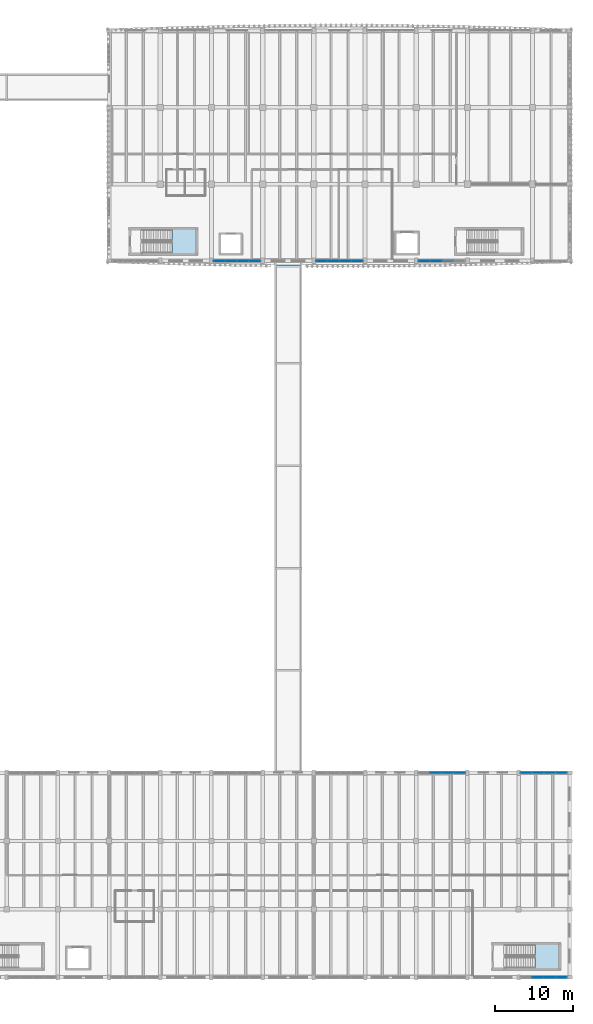
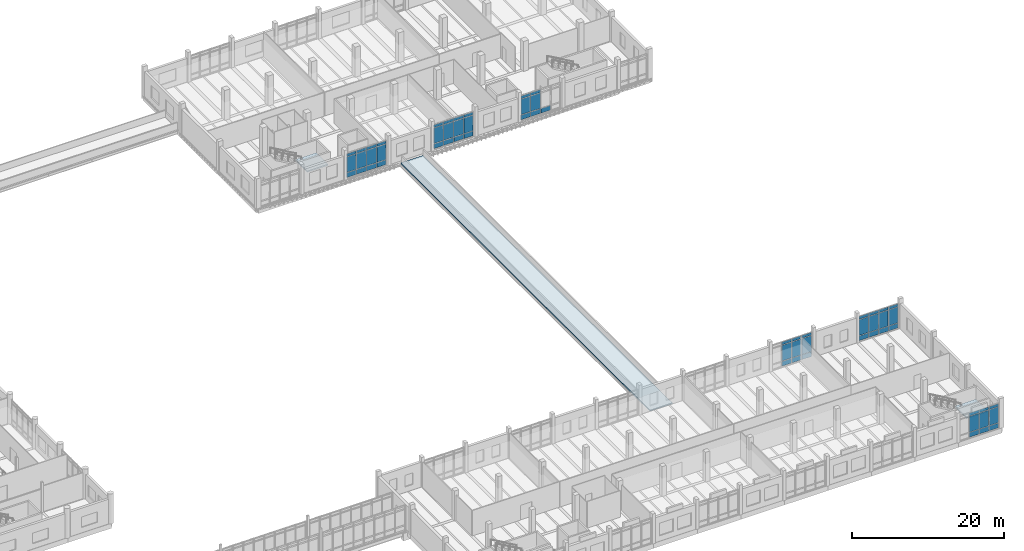
# One storey, part 56 of 101: 61 plates, 3 slabs, 8 elements without a shape of their own.
"""IFC4 building model written with IfcOpenShell, lengths in metres."""

from ifc_helpers import new_model, si_unit, direction, frame, origin, origin_2d, place, context, subcontext, project, spatial, polyline, rectangle, outline, extrude, material, layer, layer_set, type_object, element, aggregate, save


model = new_model("IFC4")

# Units and contexts
model_context = context("Model", 3, precision=1e-05, world=origin(), true_north=direction((0.0, 1.0)))
body_context = subcontext(model_context, "Body", "Model", "MODEL_VIEW")
ifc_project = project(units=[si_unit("LENGTHUNIT", "METRE"), si_unit("AREAUNIT", "SQUARE_METRE"), si_unit("VOLUMEUNIT", "CUBIC_METRE"), si_unit("PLANEANGLEUNIT", "RADIAN"), si_unit("MASSUNIT", "GRAM", prefix="KILO")], contexts=[model_context])

# Site, building, storey
site_placement = place(None, origin())
site = spatial("IfcSite", under=ifc_project, at=site_placement, CompositionType="ELEMENT")
building_placement = place(site_placement, origin())
building = spatial("IfcBuilding", under=site, at=building_placement, Name="Dornvale Research Institute", CompositionType="ELEMENT")
storey_placement = place(building_placement, frame((0.0, 0.0, 10.199951171875)))
storey = spatial("IfcBuildingStorey", under=building, at=storey_placement, Name="L02", CompositionType="ELEMENT", Elevation=10.199951171875)

# Curtain wall, plates
ifc_material_1 = material(Name="Low-E Argon Double Insulating Glazing Unit", Category="glass")
curtain_wall_type_1 = type_object("IfcCurtainWallType", Name="UnitisedCurtainWall_V3_6150x4000", PredefinedType="USERDEFINED", material=ifc_material_1)
curtain_wall_1_placement = place(storey_placement, origin())
curtain_wall_1 = element("IfcCurtainWall", 1, at=curtain_wall_1_placement, inside=storey, type_object=curtain_wall_type_1, Name="L02 V3 unitised curtain wall CW-06 #46", ObjectType="UNITISED CURTAIN WALL", PredefinedType="USERDEFINED")
ifc_material_2 = material(Name="Insulated Ceramic-Frit Spandrel Glass Panel", Category="glass")
ifc_layer_1 = layer(ifc_material_2, 0.0419921875)
ifc_layer_set_1 = layer_set([ifc_layer_1], Name="Insulated Ceramic-Frit Spandrel Glass Panel")
plate_type_1 = type_object("IfcPlateType", Name="CurtainPanel_Spandrel_42", PredefinedType="CURTAIN_PANEL", material=ifc_layer_set_1)
plate_1_placement = place(storey_placement, frame((160.93115234375, 26.39990234375, 0.065185546875), z_axis=(0.0, 0.0, 1.0), x_axis=(1.0, 0.0, 0.0)))
plate_1 = element("IfcPlate", 2, at=plate_1_placement, type_object=plate_type_1, Name="CW-06 panel 2.1", PredefinedType="CURTAIN_PANEL", context=body_context, shape_type="SweptSolid", body=[
    extrude(rectangle(XDim=1.472412109375, YDim=0.0419921875, at=origin_2d()), origin(), (0.0, 0.0, 1.0), 0.75244140625),
])
plate_2_placement = place(storey_placement, frame((162.46875, 26.39990234375, 0.065185546875), z_axis=(0.0, 0.0, 1.0), x_axis=(1.0, 0.0, 0.0)))
plate_2 = element("IfcPlate", 3, at=plate_2_placement, type_object=plate_type_1, Name="CW-06 panel 3.1", PredefinedType="CURTAIN_PANEL", context=body_context, shape_type="SweptSolid", body=[
    extrude(rectangle(XDim=1.472412109375, YDim=0.0419921875, at=origin_2d()), origin(), (0.0, 0.0, 1.0), 0.75244140625),
])
plate_3_placement = place(storey_placement, frame((163.989990234375, 26.39990234375, 0.065185546875), z_axis=(0.0, 0.0, 1.0), x_axis=(1.0, 0.0, 0.0)))
plate_3 = element("IfcPlate", 4, at=plate_3_placement, type_object=plate_type_1, Name="CW-06 panel 4.1", PredefinedType="CURTAIN_PANEL", context=body_context, shape_type="SweptSolid", body=[
    extrude(rectangle(XDim=1.43994140625, YDim=0.0419921875, at=origin_2d()), origin(), (0.0, 0.0, 1.0), 0.75244140625),
])

ifc_material_3 = material(Name="Low-E Argon Double Insulating Glazing Unit", Category="glass")
curtain_wall_type_2 = type_object("IfcCurtainWallType", Name="UnitisedCurtainWall_V3_6050x4000", PredefinedType="USERDEFINED", material=ifc_material_3)
curtain_wall_2_placement = place(storey_placement, origin())
curtain_wall_2 = element("IfcCurtainWall", 5, at=curtain_wall_2_placement, inside=storey, type_object=curtain_wall_type_2, Name="L02 V3 unitised curtain wall CW-07 #47", ObjectType="UNITISED CURTAIN WALL", PredefinedType="USERDEFINED")
plate_4_placement = place(storey_placement, frame((172.597412109375, 26.39990234375, 0.065185546875), z_axis=(0.0, 0.0, 1.0), x_axis=(1.0, 0.0, 0.0)))
plate_4 = element("IfcPlate", 6, at=plate_4_placement, type_object=plate_type_1, Name="CW-07 panel 1.1", PredefinedType="CURTAIN_PANEL", context=body_context, shape_type="SweptSolid", body=[
    extrude(rectangle(XDim=1.4150390625, YDim=0.0419921875, at=origin_2d()), origin(), (0.0, 0.0, 1.0), 0.75244140625),
])
plate_5_placement = place(storey_placement, frame((174.09375, 26.39990234375, 0.065185546875), z_axis=(0.0, 0.0, 1.0), x_axis=(1.0, 0.0, 0.0)))
plate_5 = element("IfcPlate", 7, at=plate_5_placement, type_object=plate_type_1, Name="CW-07 panel 2.1", PredefinedType="CURTAIN_PANEL", context=body_context, shape_type="SweptSolid", body=[
    extrude(rectangle(XDim=1.447509765625, YDim=0.0419921875, at=origin_2d()), origin(), (0.0, 0.0, 1.0), 0.75244140625),
])
plate_6_placement = place(storey_placement, frame((175.606201171875, 26.39990234375, 0.065185546875), z_axis=(0.0, 0.0, 1.0), x_axis=(1.0, 0.0, 0.0)))
plate_6 = element("IfcPlate", 8, at=plate_6_placement, type_object=plate_type_1, Name="CW-07 panel 3.1", PredefinedType="CURTAIN_PANEL", context=body_context, shape_type="SweptSolid", body=[
    extrude(rectangle(XDim=1.447509765625, YDim=0.0419921875, at=origin_2d()), origin(), (0.0, 0.0, 1.0), 0.75244140625),
])
plate_7_placement = place(storey_placement, frame((177.1025390625, 26.39990234375, 0.065185546875), z_axis=(0.0, 0.0, 1.0), x_axis=(1.0, 0.0, 0.0)))
plate_7 = element("IfcPlate", 9, at=plate_7_placement, type_object=plate_type_1, Name="CW-07 panel 4.1", PredefinedType="CURTAIN_PANEL", context=body_context, shape_type="SweptSolid", body=[
    extrude(rectangle(XDim=1.4150390625, YDim=0.0419921875, at=origin_2d()), origin(), (0.0, 0.0, 1.0), 0.75244140625),
])

curtain_wall_3_placement = place(storey_placement, origin())
curtain_wall_3 = element("IfcCurtainWall", 10, at=curtain_wall_3_placement, inside=storey, type_object=curtain_wall_type_2, Name="L02 V3 unitised curtain wall CW-07 #48", ObjectType="UNITISED CURTAIN WALL", PredefinedType="USERDEFINED")
plate_8_placement = place(storey_placement, frame((177.1025390625, 0.0, 0.065185546875), z_axis=(0.0, 0.0, 1.0), x_axis=(-1.0, 0.0, 0.0)))
plate_8 = element("IfcPlate", 11, at=plate_8_placement, type_object=plate_type_1, Name="CW-07 panel 1.1", PredefinedType="CURTAIN_PANEL", context=body_context, shape_type="SweptSolid", body=[
    extrude(rectangle(XDim=1.4150390625, YDim=0.0419921875, at=origin_2d()), origin(), (0.0, 0.0, 1.0), 0.75244140625),
])
plate_9_placement = place(storey_placement, frame((175.606201171875, 0.0, 0.065185546875), z_axis=(0.0, 0.0, 1.0), x_axis=(-1.0, 0.0, 0.0)))
plate_9 = element("IfcPlate", 12, at=plate_9_placement, type_object=plate_type_1, Name="CW-07 panel 2.1", PredefinedType="CURTAIN_PANEL", context=body_context, shape_type="SweptSolid", body=[
    extrude(rectangle(XDim=1.447509765625, YDim=0.0419921875, at=origin_2d()), origin(), (0.0, 0.0, 1.0), 0.75244140625),
])
plate_10_placement = place(storey_placement, frame((174.09375, 0.0, 0.065185546875), z_axis=(0.0, 0.0, 1.0), x_axis=(-1.0, 0.0, 0.0)))
plate_10 = element("IfcPlate", 13, at=plate_10_placement, type_object=plate_type_1, Name="CW-07 panel 3.1", PredefinedType="CURTAIN_PANEL", context=body_context, shape_type="SweptSolid", body=[
    extrude(rectangle(XDim=1.447509765625, YDim=0.0419921875, at=origin_2d()), origin(), (0.0, 0.0, 1.0), 0.75244140625),
])

ifc_material_4 = material(Name="Low-E Argon Double Insulating Glazing Unit", Category="glass")
curtain_wall_type_3 = type_object("IfcCurtainWallType", Name="UnitisedCurtainWall_V4_6100x3950", PredefinedType="USERDEFINED", material=ifc_material_4)
curtain_wall_4_placement = place(storey_placement, origin())
curtain_wall_4 = element("IfcCurtainWall", 14, at=curtain_wall_4_placement, inside=storey, type_object=curtain_wall_type_3, Name="L02 V4 unitised curtain wall CW-11 #87", ObjectType="UNITISED CURTAIN WALL", PredefinedType="USERDEFINED")
plate_11_placement = place(storey_placement, frame((162.46240234375, 92.39990234375, 0.065185546875), z_axis=(0.0, 0.0, 1.0), x_axis=(-1.0, 0.0, 0.0)))
plate_11 = element("IfcPlate", 15, at=plate_11_placement, type_object=plate_type_1, Name="CW-11 panel 2.1", PredefinedType="CURTAIN_PANEL", context=body_context, shape_type="SweptSolid", body=[
    extrude(rectangle(XDim=1.4599609375, YDim=0.0419921875, at=origin_2d()), origin(), (0.0, 0.0, 1.0), 0.75244140625),
])
plate_12_placement = place(storey_placement, frame((160.9375, 92.39990234375, 0.065185546875), z_axis=(0.0, 0.0, 1.0), x_axis=(-1.0, 0.0, 0.0)))
plate_12 = element("IfcPlate", 16, at=plate_12_placement, type_object=plate_type_1, Name="CW-11 panel 3.1", PredefinedType="CURTAIN_PANEL", context=body_context, shape_type="SweptSolid", body=[
    extrude(rectangle(XDim=1.4599609375, YDim=0.0419921875, at=origin_2d()), origin(), (0.0, 0.0, 1.0), 0.75244140625),
])
plate_13_placement = place(storey_placement, frame((159.4287109375, 92.39990234375, 0.065185546875), z_axis=(0.0, 0.0, 1.0), x_axis=(-1.0, 0.0, 0.0)))
plate_13 = element("IfcPlate", 17, at=plate_13_placement, type_object=plate_type_1, Name="CW-11 panel 4.1", PredefinedType="CURTAIN_PANEL", context=body_context, shape_type="SweptSolid", body=[
    extrude(rectangle(XDim=1.427490234375, YDim=0.0419921875, at=origin_2d()), origin(), (0.0, 0.0, 1.0), 0.75244140625),
])

curtain_wall_5_placement = place(storey_placement, origin())
curtain_wall_5 = element("IfcCurtainWall", 18, at=curtain_wall_5_placement, inside=storey, type_object=curtain_wall_type_3, Name="L02 V4 unitised curtain wall CW-11 #88", ObjectType="UNITISED CURTAIN WALL", PredefinedType="USERDEFINED")
plate_14_placement = place(storey_placement, frame((150.771240234375, 92.39990234375, 0.065185546875), z_axis=(0.0, 0.0, 1.0), x_axis=(-1.0, 0.0, 0.0)))
plate_14 = element("IfcPlate", 19, at=plate_14_placement, type_object=plate_type_1, Name="CW-11 panel 1.1", PredefinedType="CURTAIN_PANEL", context=body_context, shape_type="SweptSolid", body=[
    extrude(rectangle(XDim=1.427490234375, YDim=0.0419921875, at=origin_2d()), origin(), (0.0, 0.0, 1.0), 0.75244140625),
])
plate_15_placement = place(storey_placement, frame((149.262451171875, 92.39990234375, 0.065185546875), z_axis=(0.0, 0.0, 1.0), x_axis=(-1.0, 0.0, 0.0)))
plate_15 = element("IfcPlate", 20, at=plate_15_placement, type_object=plate_type_1, Name="CW-11 panel 2.1", PredefinedType="CURTAIN_PANEL", context=body_context, shape_type="SweptSolid", body=[
    extrude(rectangle(XDim=1.4599609375, YDim=0.0419921875, at=origin_2d()), origin(), (0.0, 0.0, 1.0), 0.75244140625),
])
plate_16_placement = place(storey_placement, frame((147.737548828125, 92.39990234375, 0.065185546875), z_axis=(0.0, 0.0, 1.0), x_axis=(-1.0, 0.0, 0.0)))
plate_16 = element("IfcPlate", 21, at=plate_16_placement, type_object=plate_type_1, Name="CW-11 panel 3.1", PredefinedType="CURTAIN_PANEL", context=body_context, shape_type="SweptSolid", body=[
    extrude(rectangle(XDim=1.4599609375, YDim=0.0419921875, at=origin_2d()), origin(), (0.0, 0.0, 1.0), 0.75244140625),
])
plate_17_placement = place(storey_placement, frame((146.228759765625, 92.39990234375, 0.065185546875), z_axis=(0.0, 0.0, 1.0), x_axis=(-1.0, 0.0, 0.0)))
plate_17 = element("IfcPlate", 22, at=plate_17_placement, type_object=plate_type_1, Name="CW-11 panel 4.1", PredefinedType="CURTAIN_PANEL", context=body_context, shape_type="SweptSolid", body=[
    extrude(rectangle(XDim=1.427490234375, YDim=0.0419921875, at=origin_2d()), origin(), (0.0, 0.0, 1.0), 0.75244140625),
])

curtain_wall_6_placement = place(storey_placement, origin())
curtain_wall_6 = element("IfcCurtainWall", 23, at=curtain_wall_6_placement, inside=storey, type_object=curtain_wall_type_3, Name="L02 V4 unitised curtain wall CW-11 #89", ObjectType="UNITISED CURTAIN WALL", PredefinedType="USERDEFINED")
plate_18_placement = place(storey_placement, frame((137.5712890625, 92.39990234375, 0.065185546875), z_axis=(0.0, 0.0, 1.0), x_axis=(-1.0, 0.0, 0.0)))
plate_18 = element("IfcPlate", 24, at=plate_18_placement, type_object=plate_type_1, Name="CW-11 panel 1.1", PredefinedType="CURTAIN_PANEL", context=body_context, shape_type="SweptSolid", body=[
    extrude(rectangle(XDim=1.427490234375, YDim=0.0419921875, at=origin_2d()), origin(), (0.0, 0.0, 1.0), 0.75244140625),
])
plate_19_placement = place(storey_placement, frame((136.0625, 92.39990234375, 0.065185546875), z_axis=(0.0, 0.0, 1.0), x_axis=(-1.0, 0.0, 0.0)))
plate_19 = element("IfcPlate", 25, at=plate_19_placement, type_object=plate_type_1, Name="CW-11 panel 2.1", PredefinedType="CURTAIN_PANEL", context=body_context, shape_type="SweptSolid", body=[
    extrude(rectangle(XDim=1.4599609375, YDim=0.0419921875, at=origin_2d()), origin(), (0.0, 0.0, 1.0), 0.75244140625),
])
plate_20_placement = place(storey_placement, frame((134.53759765625, 92.39990234375, 0.065185546875), z_axis=(0.0, 0.0, 1.0), x_axis=(-1.0, 0.0, 0.0)))
plate_20 = element("IfcPlate", 26, at=plate_20_placement, type_object=plate_type_1, Name="CW-11 panel 3.1", PredefinedType="CURTAIN_PANEL", context=body_context, shape_type="SweptSolid", body=[
    extrude(rectangle(XDim=1.4599609375, YDim=0.0419921875, at=origin_2d()), origin(), (0.0, 0.0, 1.0), 0.75244140625),
])
plate_21_placement = place(storey_placement, frame((133.02880859375, 92.39990234375, 0.065185546875), z_axis=(0.0, 0.0, 1.0), x_axis=(-1.0, 0.0, 0.0)))
plate_21 = element("IfcPlate", 27, at=plate_21_placement, type_object=plate_type_1, Name="CW-11 panel 4.1", PredefinedType="CURTAIN_PANEL", context=body_context, shape_type="SweptSolid", body=[
    extrude(rectangle(XDim=1.427490234375, YDim=0.0419921875, at=origin_2d()), origin(), (0.0, 0.0, 1.0), 0.75244140625),
])

# Plate
ifc_material_5 = material(Name="Low-E Argon Double Insulating Glazing Unit", Category="glass")
ifc_layer_2 = layer(ifc_material_5, 0.028076171875)
ifc_layer_set_2 = layer_set([ifc_layer_2], Name="Low-E Argon Double Insulating Glazing Unit")
plate_type_2 = type_object("IfcPlateType", Name="CurtainPanel_Vision_28", PredefinedType="CURTAIN_PANEL", material=ifc_layer_set_2)
plate_22_placement = place(storey_placement, frame((160.93115234375, 26.39990234375, 0.8828125), z_axis=(0.0, 0.0, 1.0), x_axis=(1.0, 0.0, 0.0)))
plate_22 = element("IfcPlate", 28, at=plate_22_placement, type_object=plate_type_2, Name="CW-06 panel 2.2", PredefinedType="CURTAIN_PANEL", context=body_context, shape_type="SweptSolid", body=[
    extrude(rectangle(XDim=1.472412109375, YDim=0.028076171875, at=origin_2d()), origin(), (0.0, 0.0, 1.0), 2.534912109375),
])

plate_23_placement = place(storey_placement, frame((160.93115234375, 26.39990234375, 3.482421875), z_axis=(0.0, 0.0, 1.0), x_axis=(1.0, 0.0, 0.0)))
plate_23 = element("IfcPlate", 29, at=plate_23_placement, type_object=plate_type_2, Name="CW-06 panel 2.3", PredefinedType="CURTAIN_PANEL", context=body_context, shape_type="SweptSolid", body=[
    extrude(rectangle(XDim=1.472412109375, YDim=0.028076171875, at=origin_2d()), origin(), (0.0, 0.0, 1.0), 0.452392578125),
])

plate_24_placement = place(storey_placement, frame((162.46875, 26.39990234375, 0.8828125), z_axis=(0.0, 0.0, 1.0), x_axis=(1.0, 0.0, 0.0)))
plate_24 = element("IfcPlate", 30, at=plate_24_placement, type_object=plate_type_2, Name="CW-06 panel 3.2", PredefinedType="CURTAIN_PANEL", context=body_context, shape_type="SweptSolid", body=[
    extrude(rectangle(XDim=1.472412109375, YDim=0.028076171875, at=origin_2d()), origin(), (0.0, 0.0, 1.0), 2.534912109375),
])

plate_25_placement = place(storey_placement, frame((162.46875, 26.39990234375, 3.482421875), z_axis=(0.0, 0.0, 1.0), x_axis=(1.0, 0.0, 0.0)))
plate_25 = element("IfcPlate", 31, at=plate_25_placement, type_object=plate_type_2, Name="CW-06 panel 3.3", PredefinedType="CURTAIN_PANEL", context=body_context, shape_type="SweptSolid", body=[
    extrude(rectangle(XDim=1.472412109375, YDim=0.028076171875, at=origin_2d()), origin(), (0.0, 0.0, 1.0), 0.452392578125),
])

plate_26_placement = place(storey_placement, frame((163.989990234375, 26.39990234375, 0.8828125), z_axis=(0.0, 0.0, 1.0), x_axis=(1.0, 0.0, 0.0)))
plate_26 = element("IfcPlate", 32, at=plate_26_placement, type_object=plate_type_2, Name="CW-06 panel 4.2", PredefinedType="CURTAIN_PANEL", context=body_context, shape_type="SweptSolid", body=[
    extrude(rectangle(XDim=1.43994140625, YDim=0.028076171875, at=origin_2d()), origin(), (0.0, 0.0, 1.0), 2.534912109375),
])

plate_27_placement = place(storey_placement, frame((163.989990234375, 26.39990234375, 3.482421875), z_axis=(0.0, 0.0, 1.0), x_axis=(1.0, 0.0, 0.0)))
plate_27 = element("IfcPlate", 33, at=plate_27_placement, type_object=plate_type_2, Name="CW-06 panel 4.3", PredefinedType="CURTAIN_PANEL", context=body_context, shape_type="SweptSolid", body=[
    extrude(rectangle(XDim=1.43994140625, YDim=0.028076171875, at=origin_2d()), origin(), (0.0, 0.0, 1.0), 0.452392578125),
])

aggregate(curtain_wall_1, [plate_1, plate_22, plate_23, plate_2, plate_24, plate_25, plate_3, plate_26, plate_27])

plate_28_placement = place(storey_placement, frame((172.597412109375, 26.39990234375, 0.8828125), z_axis=(0.0, 0.0, 1.0), x_axis=(1.0, 0.0, 0.0)))
plate_28 = element("IfcPlate", 34, at=plate_28_placement, type_object=plate_type_2, Name="CW-07 panel 1.2", PredefinedType="CURTAIN_PANEL", context=body_context, shape_type="SweptSolid", body=[
    extrude(rectangle(XDim=1.4150390625, YDim=0.028076171875, at=origin_2d()), origin(), (0.0, 0.0, 1.0), 2.534912109375),
])

plate_29_placement = place(storey_placement, frame((172.597412109375, 26.39990234375, 3.482421875), z_axis=(0.0, 0.0, 1.0), x_axis=(1.0, 0.0, 0.0)))
plate_29 = element("IfcPlate", 35, at=plate_29_placement, type_object=plate_type_2, Name="CW-07 panel 1.3", PredefinedType="CURTAIN_PANEL", context=body_context, shape_type="SweptSolid", body=[
    extrude(rectangle(XDim=1.4150390625, YDim=0.028076171875, at=origin_2d()), origin(), (0.0, 0.0, 1.0), 0.452392578125),
])

plate_30_placement = place(storey_placement, frame((174.09375, 26.39990234375, 0.8828125), z_axis=(0.0, 0.0, 1.0), x_axis=(1.0, 0.0, 0.0)))
plate_30 = element("IfcPlate", 36, at=plate_30_placement, type_object=plate_type_2, Name="CW-07 panel 2.2", PredefinedType="CURTAIN_PANEL", context=body_context, shape_type="SweptSolid", body=[
    extrude(rectangle(XDim=1.447509765625, YDim=0.028076171875, at=origin_2d()), origin(), (0.0, 0.0, 1.0), 2.534912109375),
])

plate_31_placement = place(storey_placement, frame((174.09375, 26.39990234375, 3.482421875), z_axis=(0.0, 0.0, 1.0), x_axis=(1.0, 0.0, 0.0)))
plate_31 = element("IfcPlate", 37, at=plate_31_placement, type_object=plate_type_2, Name="CW-07 panel 2.3", PredefinedType="CURTAIN_PANEL", context=body_context, shape_type="SweptSolid", body=[
    extrude(rectangle(XDim=1.447509765625, YDim=0.028076171875, at=origin_2d()), origin(), (0.0, 0.0, 1.0), 0.452392578125),
])

plate_32_placement = place(storey_placement, frame((175.606201171875, 26.39990234375, 0.8828125), z_axis=(0.0, 0.0, 1.0), x_axis=(1.0, 0.0, 0.0)))
plate_32 = element("IfcPlate", 38, at=plate_32_placement, type_object=plate_type_2, Name="CW-07 panel 3.2", PredefinedType="CURTAIN_PANEL", context=body_context, shape_type="SweptSolid", body=[
    extrude(rectangle(XDim=1.447509765625, YDim=0.028076171875, at=origin_2d()), origin(), (0.0, 0.0, 1.0), 2.534912109375),
])

plate_33_placement = place(storey_placement, frame((175.606201171875, 26.39990234375, 3.482421875), z_axis=(0.0, 0.0, 1.0), x_axis=(1.0, 0.0, 0.0)))
plate_33 = element("IfcPlate", 39, at=plate_33_placement, type_object=plate_type_2, Name="CW-07 panel 3.3", PredefinedType="CURTAIN_PANEL", context=body_context, shape_type="SweptSolid", body=[
    extrude(rectangle(XDim=1.447509765625, YDim=0.028076171875, at=origin_2d()), origin(), (0.0, 0.0, 1.0), 0.452392578125),
])

plate_34_placement = place(storey_placement, frame((177.1025390625, 26.39990234375, 0.8828125), z_axis=(0.0, 0.0, 1.0), x_axis=(1.0, 0.0, 0.0)))
plate_34 = element("IfcPlate", 40, at=plate_34_placement, type_object=plate_type_2, Name="CW-07 panel 4.2", PredefinedType="CURTAIN_PANEL", context=body_context, shape_type="SweptSolid", body=[
    extrude(rectangle(XDim=1.4150390625, YDim=0.028076171875, at=origin_2d()), origin(), (0.0, 0.0, 1.0), 2.534912109375),
])

plate_35_placement = place(storey_placement, frame((177.1025390625, 26.39990234375, 3.482421875), z_axis=(0.0, 0.0, 1.0), x_axis=(1.0, 0.0, 0.0)))
plate_35 = element("IfcPlate", 41, at=plate_35_placement, type_object=plate_type_2, Name="CW-07 panel 4.3", PredefinedType="CURTAIN_PANEL", context=body_context, shape_type="SweptSolid", body=[
    extrude(rectangle(XDim=1.4150390625, YDim=0.028076171875, at=origin_2d()), origin(), (0.0, 0.0, 1.0), 0.452392578125),
])

aggregate(curtain_wall_2, [plate_4, plate_28, plate_29, plate_5, plate_30, plate_31, plate_6, plate_32, plate_33, plate_7, plate_34, plate_35])

plate_36_placement = place(storey_placement, frame((177.1025390625, 0.0, 0.8828125), z_axis=(0.0, 0.0, 1.0), x_axis=(-1.0, 0.0, 0.0)))
plate_36 = element("IfcPlate", 42, at=plate_36_placement, type_object=plate_type_2, Name="CW-07 panel 1.2", PredefinedType="CURTAIN_PANEL", context=body_context, shape_type="SweptSolid", body=[
    extrude(rectangle(XDim=1.4150390625, YDim=0.028076171875, at=origin_2d()), origin(), (0.0, 0.0, 1.0), 2.534912109375),
])

plate_37_placement = place(storey_placement, frame((177.1025390625, 0.0, 3.482421875), z_axis=(0.0, 0.0, 1.0), x_axis=(-1.0, 0.0, 0.0)))
plate_37 = element("IfcPlate", 43, at=plate_37_placement, type_object=plate_type_2, Name="CW-07 panel 1.3", PredefinedType="CURTAIN_PANEL", context=body_context, shape_type="SweptSolid", body=[
    extrude(rectangle(XDim=1.4150390625, YDim=0.028076171875, at=origin_2d()), origin(), (0.0, 0.0, 1.0), 0.452392578125),
])

plate_38_placement = place(storey_placement, frame((175.606201171875, 0.0, 0.8828125), z_axis=(0.0, 0.0, 1.0), x_axis=(-1.0, 0.0, 0.0)))
plate_38 = element("IfcPlate", 44, at=plate_38_placement, type_object=plate_type_2, Name="CW-07 panel 2.2", PredefinedType="CURTAIN_PANEL", context=body_context, shape_type="SweptSolid", body=[
    extrude(rectangle(XDim=1.447509765625, YDim=0.028076171875, at=origin_2d()), origin(), (0.0, 0.0, 1.0), 2.534912109375),
])

plate_39_placement = place(storey_placement, frame((175.606201171875, 0.0, 3.482421875), z_axis=(0.0, 0.0, 1.0), x_axis=(-1.0, 0.0, 0.0)))
plate_39 = element("IfcPlate", 45, at=plate_39_placement, type_object=plate_type_2, Name="CW-07 panel 2.3", PredefinedType="CURTAIN_PANEL", context=body_context, shape_type="SweptSolid", body=[
    extrude(rectangle(XDim=1.447509765625, YDim=0.028076171875, at=origin_2d()), origin(), (0.0, 0.0, 1.0), 0.452392578125),
])

plate_40_placement = place(storey_placement, frame((174.09375, 0.0, 0.8828125), z_axis=(0.0, 0.0, 1.0), x_axis=(-1.0, 0.0, 0.0)))
plate_40 = element("IfcPlate", 46, at=plate_40_placement, type_object=plate_type_2, Name="CW-07 panel 3.2", PredefinedType="CURTAIN_PANEL", context=body_context, shape_type="SweptSolid", body=[
    extrude(rectangle(XDim=1.447509765625, YDim=0.028076171875, at=origin_2d()), origin(), (0.0, 0.0, 1.0), 2.534912109375),
])

plate_41_placement = place(storey_placement, frame((174.09375, 0.0, 3.482421875), z_axis=(0.0, 0.0, 1.0), x_axis=(-1.0, 0.0, 0.0)))
plate_41 = element("IfcPlate", 47, at=plate_41_placement, type_object=plate_type_2, Name="CW-07 panel 3.3", PredefinedType="CURTAIN_PANEL", context=body_context, shape_type="SweptSolid", body=[
    extrude(rectangle(XDim=1.447509765625, YDim=0.028076171875, at=origin_2d()), origin(), (0.0, 0.0, 1.0), 0.452392578125),
])

aggregate(curtain_wall_3, [plate_8, plate_36, plate_37, plate_9, plate_38, plate_39, plate_10, plate_40, plate_41])

plate_42_placement = place(storey_placement, frame((160.9375, 92.39990234375, 0.88232421875), z_axis=(0.0, 0.0, 1.0), x_axis=(-1.0, 0.0, 0.0)))
plate_42 = element("IfcPlate", 48, at=plate_42_placement, type_object=plate_type_2, Name="CW-11 panel 3.2", PredefinedType="CURTAIN_PANEL", context=body_context, shape_type="SweptSolid", body=[
    extrude(rectangle(XDim=1.4599609375, YDim=0.028076171875, at=origin_2d()), origin(), (0.0, 0.0, 1.0), 2.485107421875),
])

plate_43_placement = place(storey_placement, frame((160.9375, 92.39990234375, 3.4326171875), z_axis=(0.0, 0.0, 1.0), x_axis=(-1.0, 0.0, 0.0)))
plate_43 = element("IfcPlate", 49, at=plate_43_placement, type_object=plate_type_2, Name="CW-11 panel 3.3", PredefinedType="CURTAIN_PANEL", context=body_context, shape_type="SweptSolid", body=[
    extrude(rectangle(XDim=1.4599609375, YDim=0.028076171875, at=origin_2d()), origin(), (0.0, 0.0, 1.0), 0.452392578125),
])

plate_44_placement = place(storey_placement, frame((159.4287109375, 92.39990234375, 0.88232421875), z_axis=(0.0, 0.0, 1.0), x_axis=(-1.0, 0.0, 0.0)))
plate_44 = element("IfcPlate", 50, at=plate_44_placement, type_object=plate_type_2, Name="CW-11 panel 4.2", PredefinedType="CURTAIN_PANEL", context=body_context, shape_type="SweptSolid", body=[
    extrude(rectangle(XDim=1.427490234375, YDim=0.028076171875, at=origin_2d()), origin(), (0.0, 0.0, 1.0), 2.485107421875),
])

plate_45_placement = place(storey_placement, frame((159.4287109375, 92.39990234375, 3.4326171875), z_axis=(0.0, 0.0, 1.0), x_axis=(-1.0, 0.0, 0.0)))
plate_45 = element("IfcPlate", 51, at=plate_45_placement, type_object=plate_type_2, Name="CW-11 panel 4.3", PredefinedType="CURTAIN_PANEL", context=body_context, shape_type="SweptSolid", body=[
    extrude(rectangle(XDim=1.427490234375, YDim=0.028076171875, at=origin_2d()), origin(), (0.0, 0.0, 1.0), 0.452392578125),
])

aggregate(curtain_wall_4, [plate_11, plate_12, plate_42, plate_43, plate_13, plate_44, plate_45])

plate_46_placement = place(storey_placement, frame((150.771240234375, 92.39990234375, 0.88232421875), z_axis=(0.0, 0.0, 1.0), x_axis=(-1.0, 0.0, 0.0)))
plate_46 = element("IfcPlate", 52, at=plate_46_placement, type_object=plate_type_2, Name="CW-11 panel 1.2", PredefinedType="CURTAIN_PANEL", context=body_context, shape_type="SweptSolid", body=[
    extrude(rectangle(XDim=1.427490234375, YDim=0.028076171875, at=origin_2d()), origin(), (0.0, 0.0, 1.0), 2.485107421875),
])

plate_47_placement = place(storey_placement, frame((150.771240234375, 92.39990234375, 3.4326171875), z_axis=(0.0, 0.0, 1.0), x_axis=(-1.0, 0.0, 0.0)))
plate_47 = element("IfcPlate", 53, at=plate_47_placement, type_object=plate_type_2, Name="CW-11 panel 1.3", PredefinedType="CURTAIN_PANEL", context=body_context, shape_type="SweptSolid", body=[
    extrude(rectangle(XDim=1.427490234375, YDim=0.028076171875, at=origin_2d()), origin(), (0.0, 0.0, 1.0), 0.452392578125),
])

plate_48_placement = place(storey_placement, frame((149.262451171875, 92.39990234375, 0.88232421875), z_axis=(0.0, 0.0, 1.0), x_axis=(-1.0, 0.0, 0.0)))
plate_48 = element("IfcPlate", 54, at=plate_48_placement, type_object=plate_type_2, Name="CW-11 panel 2.2", PredefinedType="CURTAIN_PANEL", context=body_context, shape_type="SweptSolid", body=[
    extrude(rectangle(XDim=1.4599609375, YDim=0.028076171875, at=origin_2d()), origin(), (0.0, 0.0, 1.0), 2.485107421875),
])

plate_49_placement = place(storey_placement, frame((149.262451171875, 92.39990234375, 3.4326171875), z_axis=(0.0, 0.0, 1.0), x_axis=(-1.0, 0.0, 0.0)))
plate_49 = element("IfcPlate", 55, at=plate_49_placement, type_object=plate_type_2, Name="CW-11 panel 2.3", PredefinedType="CURTAIN_PANEL", context=body_context, shape_type="SweptSolid", body=[
    extrude(rectangle(XDim=1.4599609375, YDim=0.028076171875, at=origin_2d()), origin(), (0.0, 0.0, 1.0), 0.452392578125),
])

plate_50_placement = place(storey_placement, frame((147.737548828125, 92.39990234375, 0.88232421875), z_axis=(0.0, 0.0, 1.0), x_axis=(-1.0, 0.0, 0.0)))
plate_50 = element("IfcPlate", 56, at=plate_50_placement, type_object=plate_type_2, Name="CW-11 panel 3.2", PredefinedType="CURTAIN_PANEL", context=body_context, shape_type="SweptSolid", body=[
    extrude(rectangle(XDim=1.4599609375, YDim=0.028076171875, at=origin_2d()), origin(), (0.0, 0.0, 1.0), 2.485107421875),
])

plate_51_placement = place(storey_placement, frame((147.737548828125, 92.39990234375, 3.4326171875), z_axis=(0.0, 0.0, 1.0), x_axis=(-1.0, 0.0, 0.0)))
plate_51 = element("IfcPlate", 57, at=plate_51_placement, type_object=plate_type_2, Name="CW-11 panel 3.3", PredefinedType="CURTAIN_PANEL", context=body_context, shape_type="SweptSolid", body=[
    extrude(rectangle(XDim=1.4599609375, YDim=0.028076171875, at=origin_2d()), origin(), (0.0, 0.0, 1.0), 0.452392578125),
])

plate_52_placement = place(storey_placement, frame((146.228759765625, 92.39990234375, 0.88232421875), z_axis=(0.0, 0.0, 1.0), x_axis=(-1.0, 0.0, 0.0)))
plate_52 = element("IfcPlate", 58, at=plate_52_placement, type_object=plate_type_2, Name="CW-11 panel 4.2", PredefinedType="CURTAIN_PANEL", context=body_context, shape_type="SweptSolid", body=[
    extrude(rectangle(XDim=1.427490234375, YDim=0.028076171875, at=origin_2d()), origin(), (0.0, 0.0, 1.0), 2.485107421875),
])

plate_53_placement = place(storey_placement, frame((146.228759765625, 92.39990234375, 3.4326171875), z_axis=(0.0, 0.0, 1.0), x_axis=(-1.0, 0.0, 0.0)))
plate_53 = element("IfcPlate", 59, at=plate_53_placement, type_object=plate_type_2, Name="CW-11 panel 4.3", PredefinedType="CURTAIN_PANEL", context=body_context, shape_type="SweptSolid", body=[
    extrude(rectangle(XDim=1.427490234375, YDim=0.028076171875, at=origin_2d()), origin(), (0.0, 0.0, 1.0), 0.452392578125),
])

aggregate(curtain_wall_5, [plate_14, plate_46, plate_47, plate_15, plate_48, plate_49, plate_16, plate_50, plate_51, plate_17, plate_52, plate_53])

plate_54_placement = place(storey_placement, frame((137.5712890625, 92.39990234375, 0.88232421875), z_axis=(0.0, 0.0, 1.0), x_axis=(-1.0, 0.0, 0.0)))
plate_54 = element("IfcPlate", 60, at=plate_54_placement, type_object=plate_type_2, Name="CW-11 panel 1.2", PredefinedType="CURTAIN_PANEL", context=body_context, shape_type="SweptSolid", body=[
    extrude(rectangle(XDim=1.427490234375, YDim=0.028076171875, at=origin_2d()), origin(), (0.0, 0.0, 1.0), 2.485107421875),
])

plate_55_placement = place(storey_placement, frame((137.5712890625, 92.39990234375, 3.4326171875), z_axis=(0.0, 0.0, 1.0), x_axis=(-1.0, 0.0, 0.0)))
plate_55 = element("IfcPlate", 61, at=plate_55_placement, type_object=plate_type_2, Name="CW-11 panel 1.3", PredefinedType="CURTAIN_PANEL", context=body_context, shape_type="SweptSolid", body=[
    extrude(rectangle(XDim=1.427490234375, YDim=0.028076171875, at=origin_2d()), origin(), (0.0, 0.0, 1.0), 0.452392578125),
])

plate_56_placement = place(storey_placement, frame((136.0625, 92.39990234375, 0.88232421875), z_axis=(0.0, 0.0, 1.0), x_axis=(-1.0, 0.0, 0.0)))
plate_56 = element("IfcPlate", 62, at=plate_56_placement, type_object=plate_type_2, Name="CW-11 panel 2.2", PredefinedType="CURTAIN_PANEL", context=body_context, shape_type="SweptSolid", body=[
    extrude(rectangle(XDim=1.4599609375, YDim=0.028076171875, at=origin_2d()), origin(), (0.0, 0.0, 1.0), 2.485107421875),
])

plate_57_placement = place(storey_placement, frame((136.0625, 92.39990234375, 3.4326171875), z_axis=(0.0, 0.0, 1.0), x_axis=(-1.0, 0.0, 0.0)))
plate_57 = element("IfcPlate", 63, at=plate_57_placement, type_object=plate_type_2, Name="CW-11 panel 2.3", PredefinedType="CURTAIN_PANEL", context=body_context, shape_type="SweptSolid", body=[
    extrude(rectangle(XDim=1.4599609375, YDim=0.028076171875, at=origin_2d()), origin(), (0.0, 0.0, 1.0), 0.452392578125),
])

plate_58_placement = place(storey_placement, frame((134.53759765625, 92.39990234375, 0.88232421875), z_axis=(0.0, 0.0, 1.0), x_axis=(-1.0, 0.0, 0.0)))
plate_58 = element("IfcPlate", 64, at=plate_58_placement, type_object=plate_type_2, Name="CW-11 panel 3.2", PredefinedType="CURTAIN_PANEL", context=body_context, shape_type="SweptSolid", body=[
    extrude(rectangle(XDim=1.4599609375, YDim=0.028076171875, at=origin_2d()), origin(), (0.0, 0.0, 1.0), 2.485107421875),
])

plate_59_placement = place(storey_placement, frame((134.53759765625, 92.39990234375, 3.4326171875), z_axis=(0.0, 0.0, 1.0), x_axis=(-1.0, 0.0, 0.0)))
plate_59 = element("IfcPlate", 65, at=plate_59_placement, type_object=plate_type_2, Name="CW-11 panel 3.3", PredefinedType="CURTAIN_PANEL", context=body_context, shape_type="SweptSolid", body=[
    extrude(rectangle(XDim=1.4599609375, YDim=0.028076171875, at=origin_2d()), origin(), (0.0, 0.0, 1.0), 0.452392578125),
])

plate_60_placement = place(storey_placement, frame((133.02880859375, 92.39990234375, 0.88232421875), z_axis=(0.0, 0.0, 1.0), x_axis=(-1.0, 0.0, 0.0)))
plate_60 = element("IfcPlate", 66, at=plate_60_placement, type_object=plate_type_2, Name="CW-11 panel 4.2", PredefinedType="CURTAIN_PANEL", context=body_context, shape_type="SweptSolid", body=[
    extrude(rectangle(XDim=1.427490234375, YDim=0.028076171875, at=origin_2d()), origin(), (0.0, 0.0, 1.0), 2.485107421875),
])

plate_61_placement = place(storey_placement, frame((133.02880859375, 92.39990234375, 3.4326171875), z_axis=(0.0, 0.0, 1.0), x_axis=(-1.0, 0.0, 0.0)))
plate_61 = element("IfcPlate", 67, at=plate_61_placement, type_object=plate_type_2, Name="CW-11 panel 4.3", PredefinedType="CURTAIN_PANEL", context=body_context, shape_type="SweptSolid", body=[
    extrude(rectangle(XDim=1.427490234375, YDim=0.028076171875, at=origin_2d()), origin(), (0.0, 0.0, 1.0), 0.452392578125),
])

aggregate(curtain_wall_6, [plate_18, plate_54, plate_55, plate_19, plate_56, plate_57, plate_20, plate_58, plate_59, plate_21, plate_60, plate_61])

# Stair, slab
ifc_material_6 = material(Name="Concrete f'c 45 MPa (C35/45)", Category="concrete")
stair_type = type_object("IfcStairType", Name="HalfTurnStair_RC", PredefinedType="HALF_TURN_STAIR", material=ifc_material_6)
stair_1_placement = place(storey_placement, origin())
stair_1 = element("IfcStair", 68, at=stair_1_placement, inside=storey, type_object=stair_type, Name="L02 Exit stair ST-3", PredefinedType="HALF_TURN_STAIR")
ifc_material_7 = material(Name="Concrete f'c 45 MPa (C35/45)", Category="concrete")
ifc_layer_3 = layer(ifc_material_7, 0.199951171875)
ifc_layer_set_3 = layer_set([ifc_layer_3], Name="Concrete f'c 45 MPa (C35/45)")
slab_type_1 = type_object("IfcSlabType", Name="Landing_Stair_200", PredefinedType="LANDING", material=ifc_layer_set_3)
slab_1_placement = place(storey_placement, frame((0.0, 0.0, 2.199951171875)))
slab_1 = element("IfcSlab", 69, at=slab_1_placement, type_object=slab_type_1, Name="ST-3 landing 1", PredefinedType="LANDING", context=body_context, shape_type="SweptSolid", body=[
    extrude(outline(polyline([(126.889892578125, 93.3701171875), (126.889892578125, 96.429931640625), (130.030029296875, 96.429931640625), (130.030029296875, 93.3701171875), (126.889892578125, 93.3701171875)])), origin(), (0.0, 0.0, 1.0), 0.2001953125),
])
aggregate(stair_1, [slab_1])

stair_2_placement = place(storey_placement, origin())
stair_2 = element("IfcStair", 70, at=stair_2_placement, inside=storey, type_object=stair_type, Name="L02 Exit stair ST-6", PredefinedType="HALF_TURN_STAIR")
slab_2_placement = place(storey_placement, frame((0.0, 0.0, 2.199951171875)))
slab_2 = element("IfcSlab", 71, at=slab_2_placement, type_object=slab_type_1, Name="ST-6 landing 1", PredefinedType="LANDING", context=body_context, shape_type="SweptSolid", body=[
    extrude(outline(polyline([(173.68994140625, 1.169921875), (173.68994140625, 4.22998046875), (176.830078125, 4.22998046875), (176.830078125, 1.169921875), (173.68994140625, 1.169921875)])), origin(), (0.0, 0.0, 1.0), 0.2001953125),
])
aggregate(stair_2, [slab_2])

# Slab
ifc_material_8 = material(Name="Concrete f'c 45 MPa (C35/45)", Category="concrete")
ifc_layer_4 = layer(ifc_material_8, 0.179931640625)
ifc_layer_set_4 = layer_set([ifc_layer_4], Name="Concrete f'c 45 MPa (C35/45)")
slab_type_2 = type_object("IfcSlabType", Name="RoofSlab_Bridge_180", PredefinedType="ROOF", material=ifc_layer_set_4)
slab_3_placement = place(storey_placement, frame((0.0, 0.0, -0.179931640625)))
element("IfcSlab", 72, at=slab_3_placement, inside=storey, type_object=slab_type_2, Name="L02 link bridge roof BR-7", PredefinedType="ROOF", context=body_context, shape_type="SweptSolid", body=[
    extrude(outline(polyline([(140.199951171875, 91.873046875), (140.249755859375, 91.872314453125), (140.249755859375, 91.872314453125), (141.89990234375, 91.857177734375), (141.89990234375, 91.857177734375), (143.5498046875, 91.84521484375), (143.5498046875, 91.84521484375), (143.60009765625, 91.844970703125), (143.60009765625, 26.419921875), (140.199951171875, 26.419921875), (140.199951171875, 91.873046875)])), origin(), (0.0, 0.0, 1.0), 0.179931640625),
])

save(model, "model.ifc")
